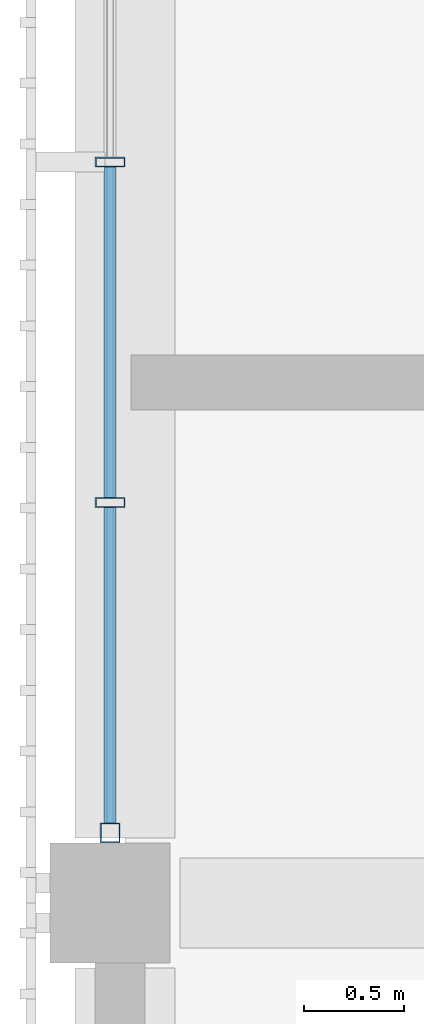
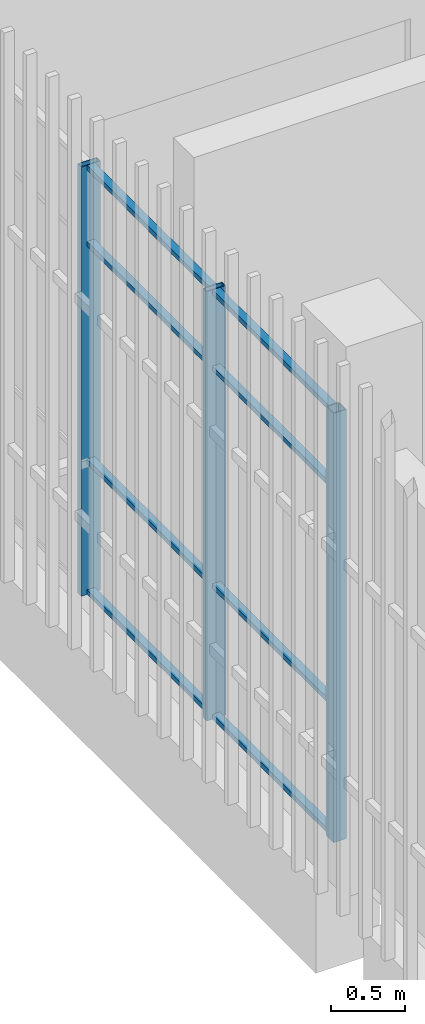
# One storey, part 7 of 139: 11 members, 1 element without a shape of its own.
"""IFC4 building model written with IfcOpenShell, lengths in metres."""

from ifc_helpers import new_model, si_unit, direction, frame, origin, origin_2d, place, context, subcontext, project, spatial, hollow_rectangle, extrude, material, layer, layer_set, material_profile, profile_set, type_object, element, aggregate, save


model = new_model("IFC4")

# Units and contexts
model_context = context("Model", 3, precision=1e-05, world=origin(), true_north=direction((0.0, 1.0)))
body_context = subcontext(model_context, "Body", "Model", "MODEL_VIEW")
ifc_project = project(units=[si_unit("LENGTHUNIT", "METRE"), si_unit("AREAUNIT", "SQUARE_METRE"), si_unit("VOLUMEUNIT", "CUBIC_METRE"), si_unit("PLANEANGLEUNIT", "RADIAN"), si_unit("MASSUNIT", "GRAM", prefix="KILO")], contexts=[model_context])

# Site, building, storey
site_placement = place(None, origin())
site = spatial("IfcSite", under=ifc_project, at=site_placement, CompositionType="ELEMENT")
building_placement = place(site_placement, origin())
building = spatial("IfcBuilding", under=site, at=building_placement, Name="Shirokan Park Arena", CompositionType="ELEMENT")
storey_placement = place(building_placement, frame((0.0, 0.0, 15.469970703125)))
storey = spatial("IfcBuildingStorey", under=building, at=storey_placement, Name="L03", CompositionType="ELEMENT", Elevation=15.469970703125)

# Curtain wall, members
ifc_material_1 = material(Name="Steel and glass curtain wall", Category="steel")
ifc_layer = layer(ifc_material_1, 0.14990234375)
ifc_layer_set = layer_set([ifc_layer], Name="Steel and glass curtain wall 150 mm")
curtain_wall_type = type_object("IfcCurtainWallType", Name="Curtain wall exposed bay 150", PredefinedType="NOTDEFINED", material=ifc_layer_set)
curtain_wall_placement = place(storey_placement, origin())
curtain_wall = element("IfcCurtainWall", 1, at=curtain_wall_placement, inside=storey, type_object=curtain_wall_type, Name="Curtain wall west bay 9 L03", PredefinedType="NOTDEFINED")
ifc_material_2 = material(Name="Steel S355", Category="steel")
ifc_material_profile_1 = material_profile(ifc_material_2, hollow_rectangle(XDim=0.10009765625, YDim=0.10009765625, WallThickness=0.006103515625, at=origin_2d()), Name="RHS 100x100x6")
ifc_profile_set_1 = profile_set([ifc_material_profile_1], Name="Steel S355")
member_type_1 = type_object("IfcMemberType", Name="Mullion RHS 100x100x6", PredefinedType="MULLION", material=ifc_profile_set_1)
member_1_placement = place(storey_placement, frame((-0.074951171875, 27.64990234375, 0.0), z_axis=(0.0, 0.0, 1.0), x_axis=(1.0, 0.0, 0.0)))
member_1 = element("IfcMember", 2, at=member_1_placement, type_object=member_type_1, Name="CW1 mullion 6", PredefinedType="MULLION", context=body_context, shape_type="SweptSolid", body=[
    extrude(hollow_rectangle(XDim=0.10009765625, YDim=0.10009765625, WallThickness=0.006103515625, at=origin_2d()), origin(), (0.0, 0.0, 1.0), 3.550048828125),
])
ifc_material_profile_2 = material_profile(ifc_material_2, hollow_rectangle(XDim=0.14990234375, YDim=0.050048828125, WallThickness=0.006103515625, at=origin_2d()), Name="RHS 150x50x6")
ifc_profile_set_2 = profile_set([ifc_material_profile_2], Name="Steel S355")
member_type_2 = type_object("IfcMemberType", Name="Mullion RHS 150x50x6", PredefinedType="MULLION", material=ifc_profile_set_2)
member_2_placement = place(storey_placement, frame((-0.074951171875, 31.0, 0.0), z_axis=(0.0, 0.0, 1.0), x_axis=(1.0, 0.0, 0.0)))
member_2 = element("IfcMember", 3, at=member_2_placement, type_object=member_type_2, Name="CW1 mullion 4", PredefinedType="MULLION", context=body_context, shape_type="SweptSolid", body=[
    extrude(hollow_rectangle(XDim=0.14990234375, YDim=0.050048828125, WallThickness=0.006103515625, at=origin_2d()), origin(), (0.0, 0.0, 1.0), 3.550048828125),
])
member_3_placement = place(storey_placement, frame((-0.074951171875, 29.300048828125, 0.0), z_axis=(0.0, 0.0, 1.0), x_axis=(1.0, 0.0, 0.0)))
member_3 = element("IfcMember", 4, at=member_3_placement, type_object=member_type_2, Name="CW1 mullion 5", PredefinedType="MULLION", context=body_context, shape_type="SweptSolid", body=[
    extrude(hollow_rectangle(XDim=0.14990234375, YDim=0.050048828125, WallThickness=0.006103515625, at=origin_2d()), origin(), (0.0, 0.0, 1.0), 3.550048828125),
])
ifc_material_profile_3 = material_profile(ifc_material_2, hollow_rectangle(XDim=0.06005859375, YDim=0.0400390625, WallThickness=0.00390625, at=origin_2d()), Name="RHS 60x40x4")
ifc_profile_set_3 = profile_set([ifc_material_profile_3], Name="Steel S355")
member_type_3 = type_object("IfcMemberType", Name="Transom RHS 60x40x4", PredefinedType="MULLION", material=ifc_profile_set_3)
member_4_placement = place(storey_placement, frame((-0.074951171875, 30.97509765625, 0.02001953125), z_axis=(0.0, -1.0, 0.0), x_axis=(1.0, 0.0, 0.0)))
member_4 = element("IfcMember", 5, at=member_4_placement, type_object=member_type_3, Name="CW1 transom 4.1", PredefinedType="MULLION", context=body_context, shape_type="SweptSolid", body=[
    extrude(hollow_rectangle(XDim=0.06005859375, YDim=0.0400390625, WallThickness=0.00390625, at=origin_2d()), origin(), (0.0, 0.0, 1.0), 1.650146484375),
])
member_5_placement = place(storey_placement, frame((-0.074951171875, 30.97509765625, 1.10009765625), z_axis=(0.0, -1.0, 0.0), x_axis=(1.0, 0.0, 0.0)))
member_5 = element("IfcMember", 6, at=member_5_placement, type_object=member_type_3, Name="CW1 transom 4.2", PredefinedType="MULLION", context=body_context, shape_type="SweptSolid", body=[
    extrude(hollow_rectangle(XDim=0.06005859375, YDim=0.0400390625, WallThickness=0.00390625, at=origin_2d()), origin(), (0.0, 0.0, 1.0), 1.650146484375),
])
member_6_placement = place(storey_placement, frame((-0.074951171875, 30.97509765625, 2.900146484375), z_axis=(0.0, -1.0, 0.0), x_axis=(1.0, 0.0, 0.0)))
member_6 = element("IfcMember", 7, at=member_6_placement, type_object=member_type_3, Name="CW1 transom 4.3", PredefinedType="MULLION", context=body_context, shape_type="SweptSolid", body=[
    extrude(hollow_rectangle(XDim=0.06005859375, YDim=0.0400390625, WallThickness=0.00390625, at=origin_2d()), origin(), (0.0, 0.0, 1.0), 1.650146484375),
])
member_7_placement = place(storey_placement, frame((-0.074951171875, 30.97509765625, 3.530029296875), z_axis=(0.0, -1.0, 0.0), x_axis=(1.0, 0.0, 0.0)))
member_7 = element("IfcMember", 8, at=member_7_placement, type_object=member_type_3, Name="CW1 transom 4.4", PredefinedType="MULLION", context=body_context, shape_type="SweptSolid", body=[
    extrude(hollow_rectangle(XDim=0.06005859375, YDim=0.0400390625, WallThickness=0.00390625, at=origin_2d()), origin(), (0.0, 0.0, 1.0), 1.650146484375),
])
member_8_placement = place(storey_placement, frame((-0.074951171875, 29.27490234375, 0.02001953125), z_axis=(0.0, -1.0, 0.0), x_axis=(1.0, 0.0, 0.0)))
member_8 = element("IfcMember", 9, at=member_8_placement, type_object=member_type_3, Name="CW1 transom 5.1", PredefinedType="MULLION", context=body_context, shape_type="SweptSolid", body=[
    extrude(hollow_rectangle(XDim=0.06005859375, YDim=0.0400390625, WallThickness=0.00390625, at=origin_2d()), origin(), (0.0, 0.0, 1.0), 1.574951171875),
])
member_9_placement = place(storey_placement, frame((-0.074951171875, 29.27490234375, 1.10009765625), z_axis=(0.0, -1.0, 0.0), x_axis=(1.0, 0.0, 0.0)))
member_9 = element("IfcMember", 10, at=member_9_placement, type_object=member_type_3, Name="CW1 transom 5.2", PredefinedType="MULLION", context=body_context, shape_type="SweptSolid", body=[
    extrude(hollow_rectangle(XDim=0.06005859375, YDim=0.0400390625, WallThickness=0.00390625, at=origin_2d()), origin(), (0.0, 0.0, 1.0), 1.574951171875),
])
member_10_placement = place(storey_placement, frame((-0.074951171875, 29.27490234375, 2.900146484375), z_axis=(0.0, -1.0, 0.0), x_axis=(1.0, 0.0, 0.0)))
member_10 = element("IfcMember", 11, at=member_10_placement, type_object=member_type_3, Name="CW1 transom 5.3", PredefinedType="MULLION", context=body_context, shape_type="SweptSolid", body=[
    extrude(hollow_rectangle(XDim=0.06005859375, YDim=0.0400390625, WallThickness=0.00390625, at=origin_2d()), origin(), (0.0, 0.0, 1.0), 1.574951171875),
])
member_11_placement = place(storey_placement, frame((-0.074951171875, 29.27490234375, 3.530029296875), z_axis=(0.0, -1.0, 0.0), x_axis=(1.0, 0.0, 0.0)))
member_11 = element("IfcMember", 12, at=member_11_placement, type_object=member_type_3, Name="CW1 transom 5.4", PredefinedType="MULLION", context=body_context, shape_type="SweptSolid", body=[
    extrude(hollow_rectangle(XDim=0.06005859375, YDim=0.0400390625, WallThickness=0.00390625, at=origin_2d()), origin(), (0.0, 0.0, 1.0), 1.574951171875),
])
aggregate(curtain_wall, [member_2, member_3, member_1, member_4, member_5, member_6, member_7, member_8, member_9, member_10, member_11])

save(model, "model.ifc")
